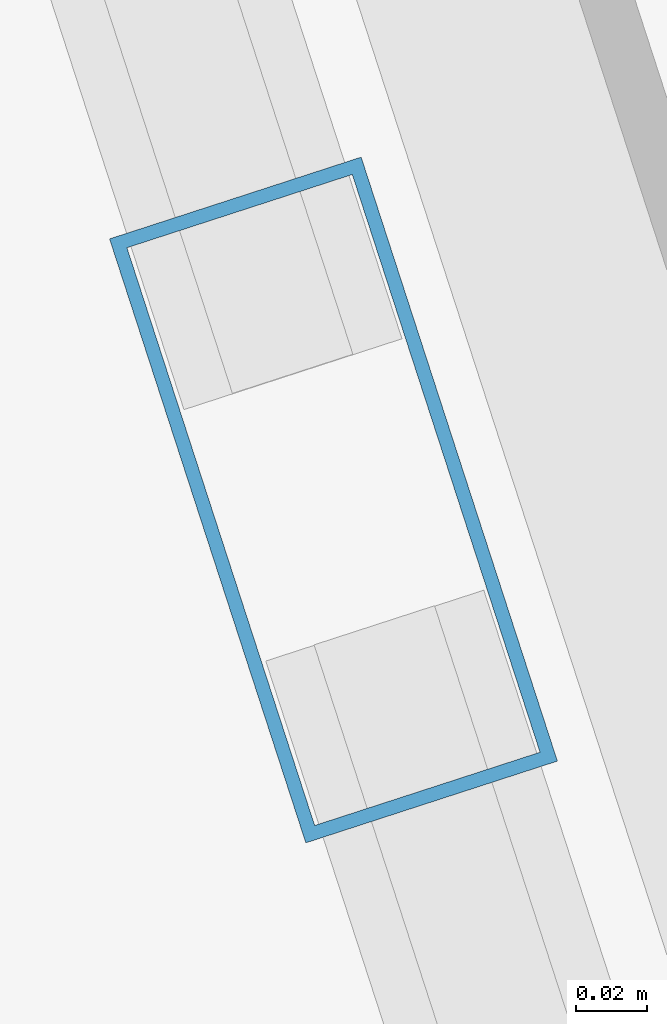
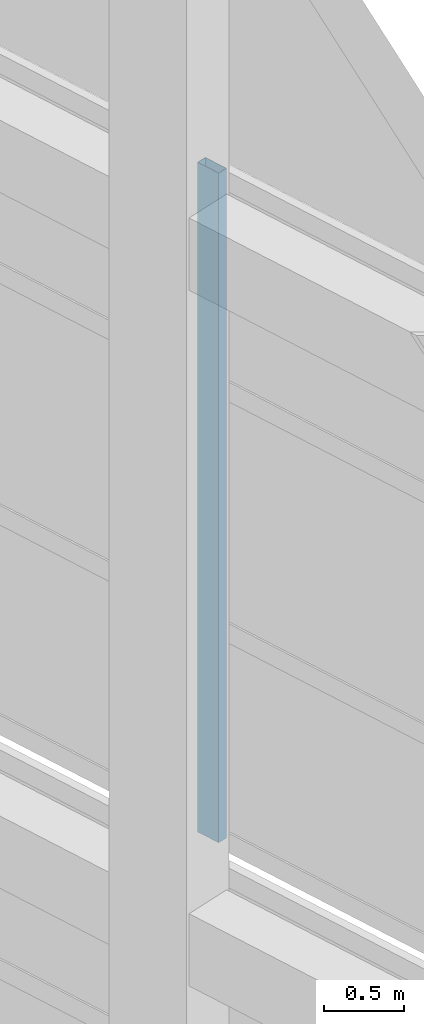
# One storey, part 35 of 56: 1 member, 1 element without a shape of its own.
"""IFC4 building model written with IfcOpenShell, lengths in metres."""

from ifc_helpers import new_model, si_unit, direction, frame, origin, origin_2d, place, context, subcontext, project, spatial, hollow_rectangle, extrude, material, layer, layer_set, material_profile, profile_set, type_object, element, aggregate, save


model = new_model("IFC4")

# Units and contexts
model_context = context("Model", 3, precision=1e-05, world=origin(), true_north=direction((0.0, 1.0)))
body_context = subcontext(model_context, "Body", "Model", "MODEL_VIEW")
ifc_project = project(units=[si_unit("LENGTHUNIT", "METRE"), si_unit("AREAUNIT", "SQUARE_METRE"), si_unit("VOLUMEUNIT", "CUBIC_METRE"), si_unit("PLANEANGLEUNIT", "RADIAN"), si_unit("MASSUNIT", "GRAM", prefix="KILO")], contexts=[model_context])

# Site, building, storey
site_placement = place(None, origin())
site = spatial("IfcSite", under=ifc_project, at=site_placement, CompositionType="ELEMENT")
building_placement = place(site_placement, origin())
building = spatial("IfcBuilding", under=site, at=building_placement, Name="Qiaolan Cultural Towers", CompositionType="ELEMENT")
storey_placement = place(building_placement, frame((0.0, 0.0, 250.39990234375)))
storey = spatial("IfcBuildingStorey", under=building, at=storey_placement, Name="L68", CompositionType="ELEMENT", Elevation=250.39990234375)

# Curtain wall, member
ifc_material_1 = material(Name="Unitized Anodized Aluminium Curtain Wall System", Category="aluminium")
ifc_layer = layer(ifc_material_1, 0.199951171875)
ifc_layer_set = layer_set([ifc_layer], Name="Unitized Anodized Aluminium Curtain Wall System")
curtain_wall_type = type_object("IfcCurtainWallType", Name="CWS-06", PredefinedType="NOTDEFINED", material=ifc_layer_set)
curtain_wall_placement = place(storey_placement, origin())
curtain_wall = element("IfcCurtainWall", 1, at=curtain_wall_placement, inside=storey, type_object=curtain_wall_type, Name="T2 Crown Tier 5 Fritted Screen Curtain Wall 3", PredefinedType="NOTDEFINED")
ifc_material_2 = material(Name="Extruded Aluminium 6063-T6", Category="aluminium")
ifc_material_profile = material_profile(ifc_material_2, hollow_rectangle(XDim=0.074951171875, YDim=0.179931640625, WallThickness=0.00390625, at=origin_2d()), Name="CWM-180x75x4")
ifc_profile_set = profile_set([ifc_material_profile], Name="Extruded Aluminium 6063-T6")
member_type = type_object("IfcMemberType", Name="CWS-06-MUL", PredefinedType="MULLION", material=ifc_profile_set)
member_placement = place(storey_placement, frame((103.172119140625, 38.27978515625, 21.300048828125), z_axis=(0.0, 0.0, 1.0), x_axis=(-0.951056535512, -0.309016935232, 0.0)))
member = element("IfcMember", 2, at=member_placement, type_object=member_type, Name="CW-6 mullion 4", PredefinedType="MULLION", context=body_context, shape_type="SweptSolid", body=[
    extrude(hollow_rectangle(XDim=0.074951171875, YDim=0.179931640625, WallThickness=0.00390625, at=origin_2d()), origin(), (0.0, 0.0, 1.0), 5.10009765625),
])
aggregate(curtain_wall, [member])

save(model, "model.ifc")
